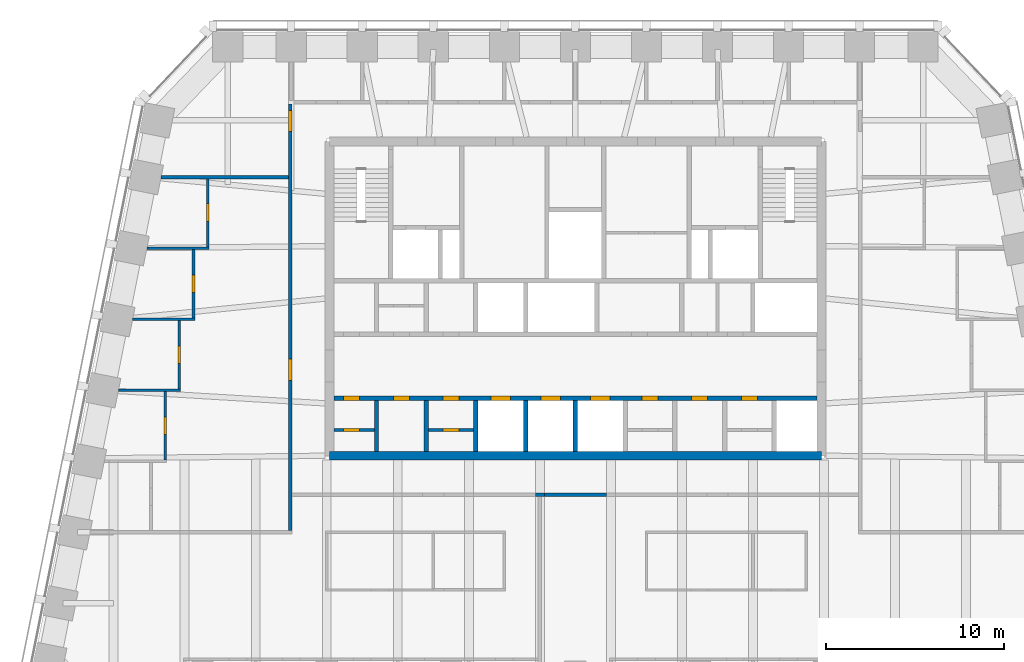
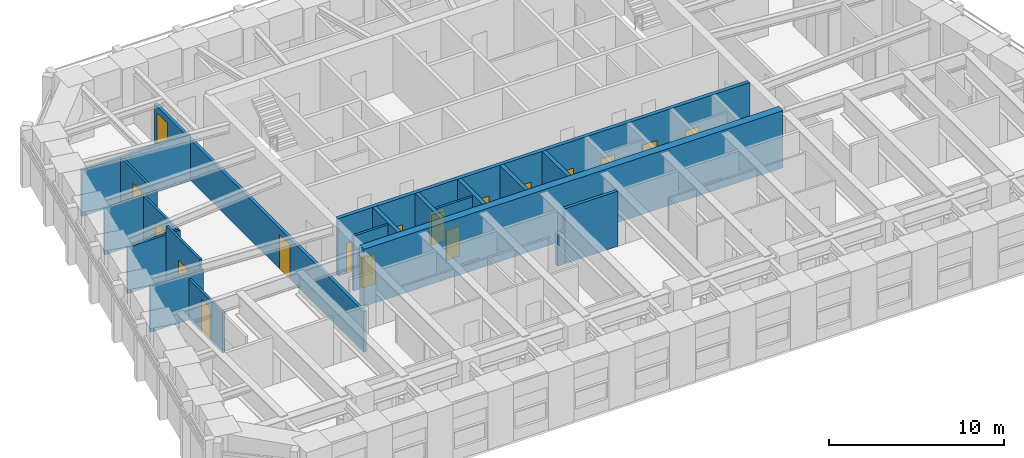
# One storey, part 6 of 13: 20 walls, 17 doors, 17 openings.
"""IFC4 building model written with IfcOpenShell, lengths in metres."""

from ifc_helpers import new_model, si_unit, direction, frame, frame_2d, origin, place, context, subcontext, project, spatial, rectangle, extrude, material, layer, layer_set, type_object, element, fill, save


model = new_model("IFC4")

# Units and contexts
model_context = context("Model", 3, precision=1e-05, world=origin(), true_north=direction((0.0, 1.0)))
body_context = subcontext(model_context, "Body", "Model", "MODEL_VIEW")
ifc_project = project(units=[si_unit("LENGTHUNIT", "METRE"), si_unit("AREAUNIT", "SQUARE_METRE"), si_unit("VOLUMEUNIT", "CUBIC_METRE"), si_unit("PLANEANGLEUNIT", "RADIAN"), si_unit("MASSUNIT", "GRAM", prefix="KILO")], contexts=[model_context])

# Site, building, storey
site_placement = place(None, origin())
site = spatial("IfcSite", under=ifc_project, at=site_placement, CompositionType="ELEMENT")
building_placement = place(site_placement, origin())
building = spatial("IfcBuilding", under=site, at=building_placement, Name="Isbrekke Arena Tower", CompositionType="ELEMENT")
storey_placement = place(building_placement, frame((0.0, 0.0, 280.0)))
storey = spatial("IfcBuildingStorey", under=building, at=storey_placement, Name="L65", CompositionType="ELEMENT", Elevation=280.0)

# Wall
ifc_material_1 = material(Name="Concrete B55 (C55/67)", Category="concrete")
ifc_layer_1 = layer(ifc_material_1, 0.5)
ifc_layer_set_1 = layer_set([ifc_layer_1], Name="CW5 CORE WALL 500")
wall_type_1 = type_object("IfcWallType", Name="CW5 CORE WALL 500", PredefinedType="SHEAR", material=ifc_layer_set_1)
wall_1_placement = place(storey_placement, frame((-13.85009765625, 6.14990234375, 0.0), z_axis=(0.0, 0.0, 1.0), x_axis=(1.0, 0.0, 0.0)))
element("IfcWall", 1, at=wall_1_placement, inside=storey, type_object=wall_type_1, Name="Core wall S L65", PredefinedType="SHEAR", context=body_context, shape_type="SweptSolid", body=[
    extrude(rectangle(XDim=27.7001953125, YDim=0.5, at=frame_2d((13.85009765625, 0.0))), origin(), (0.0, 0.0, 1.0), 4.0),
])

# Wall, openings, doors
ifc_material_2 = material(Name="Concrete B45 (C45/55)", Category="concrete")
ifc_layer_2 = layer(ifc_material_2, 0.25)
ifc_layer_set_2 = layer_set([ifc_layer_2], Name="CW6 SHAFT WALL 250")
wall_type_2 = type_object("IfcWallType", Name="CW6 SHAFT WALL 250", PredefinedType="SHEAR", material=ifc_layer_set_2)
wall_2_placement = place(storey_placement, frame((-13.60009765625, 9.39990234375, 0.0), z_axis=(0.0, 0.0, 1.0), x_axis=(1.0, 0.0, 0.0)))
wall_2 = element("IfcWall", 2, at=wall_2_placement, inside=storey, type_object=wall_type_2, Name="Core wall LS L65", PredefinedType="SHEAR", context=body_context, shape_type="SweptSolid", body=[
    extrude(rectangle(XDim=27.2001953125, YDim=0.25, at=frame_2d((13.60009765625, 0.0))), origin(), (0.0, 0.0, 1.0), 4.0),
])
opening_1_placement = place(wall_2_placement, frame((8.85009765625, 0.0, 0.0)))
opening_1 = element("IfcOpeningElement", 3, at=opening_1_placement, cuts=wall_2, Name="Opening LD1", PredefinedType="OPENING", context=body_context, shape_type="SweptSolid", body=[
    extrude(rectangle(XDim=1.10009765625, YDim=2.10009765625, at=frame_2d((0.550048828125, 1.050048828125))), frame((0.0, 0.139892578125, 0.0), z_axis=(0.0, -1.0, 0.0), x_axis=(1.0, 0.0, 0.0)), (0.0, 0.0, 1.0), 0.27978515625),
])
opening_2_placement = place(wall_2_placement, frame((11.64990234375, 0.0, 0.0)))
opening_2 = element("IfcOpeningElement", 4, at=opening_2_placement, cuts=wall_2, Name="Opening LD1", PredefinedType="OPENING", context=body_context, shape_type="SweptSolid", body=[
    extrude(rectangle(XDim=1.10009765625, YDim=2.10009765625, at=frame_2d((0.550048828125, 1.050048828125))), frame((0.0, 0.139892578125, 0.0), z_axis=(0.0, -1.0, 0.0), x_axis=(1.0, 0.0, 0.0)), (0.0, 0.0, 1.0), 0.27978515625),
])
opening_3_placement = place(wall_2_placement, frame((14.449951171875, 0.0, 0.0)))
opening_3 = element("IfcOpeningElement", 5, at=opening_3_placement, cuts=wall_2, Name="Opening LD1", PredefinedType="OPENING", context=body_context, shape_type="SweptSolid", body=[
    extrude(rectangle(XDim=1.10009765625, YDim=2.10009765625, at=frame_2d((0.550048828125, 1.050048828125))), frame((0.0, 0.139892578125, 0.0), z_axis=(0.0, -1.0, 0.0), x_axis=(1.0, 0.0, 0.0)), (0.0, 0.0, 1.0), 0.27978515625),
])
opening_4_placement = place(wall_2_placement, frame((0.550048828125, 0.0, 0.0)))
opening_4 = element("IfcOpeningElement", 6, at=opening_4_placement, cuts=wall_2, Name="Opening D5", PredefinedType="OPENING", context=body_context, shape_type="SweptSolid", body=[
    extrude(rectangle(XDim=0.89990234375, YDim=2.10009765625, at=frame_2d((0.449951171875, 1.050048828125))), frame((0.0, 0.139892578125, 0.0), z_axis=(0.0, -1.0, 0.0), x_axis=(1.0, 0.0, 0.0)), (0.0, 0.0, 1.0), 0.27978515625),
])
opening_5_placement = place(wall_2_placement, frame((3.35009765625, 0.0, 0.0)))
opening_5 = element("IfcOpeningElement", 7, at=opening_5_placement, cuts=wall_2, Name="Opening D5", PredefinedType="OPENING", context=body_context, shape_type="SweptSolid", body=[
    extrude(rectangle(XDim=0.89990234375, YDim=2.10009765625, at=frame_2d((0.449951171875, 1.050048828125))), frame((0.0, 0.139892578125, 0.0), z_axis=(0.0, -1.0, 0.0), x_axis=(1.0, 0.0, 0.0)), (0.0, 0.0, 1.0), 0.27978515625),
])
opening_6_placement = place(wall_2_placement, frame((6.14990234375, 0.0, 0.0)))
opening_6 = element("IfcOpeningElement", 8, at=opening_6_placement, cuts=wall_2, Name="Opening D5", PredefinedType="OPENING", context=body_context, shape_type="SweptSolid", body=[
    extrude(rectangle(XDim=0.89990234375, YDim=2.10009765625, at=frame_2d((0.449951171875, 1.050048828125))), frame((0.0, 0.139892578125, 0.0), z_axis=(0.0, -1.0, 0.0), x_axis=(1.0, 0.0, 0.0)), (0.0, 0.0, 1.0), 0.27978515625),
])
opening_7_placement = place(wall_2_placement, frame((17.35009765625, 0.0, 0.0)))
opening_7 = element("IfcOpeningElement", 9, at=opening_7_placement, cuts=wall_2, Name="Opening D5", PredefinedType="OPENING", context=body_context, shape_type="SweptSolid", body=[
    extrude(rectangle(XDim=0.89990234375, YDim=2.10009765625, at=frame_2d((0.449951171875, 1.050048828125))), frame((0.0, 0.139892578125, 0.0), z_axis=(0.0, -1.0, 0.0), x_axis=(1.0, 0.0, 0.0)), (0.0, 0.0, 1.0), 0.27978515625),
])
opening_8_placement = place(wall_2_placement, frame((20.14990234375, 0.0, 0.0)))
opening_8 = element("IfcOpeningElement", 10, at=opening_8_placement, cuts=wall_2, Name="Opening D5", PredefinedType="OPENING", context=body_context, shape_type="SweptSolid", body=[
    extrude(rectangle(XDim=0.89990234375, YDim=2.10009765625, at=frame_2d((0.449951171875, 1.050048828125))), frame((0.0, 0.139892578125, 0.0), z_axis=(0.0, -1.0, 0.0), x_axis=(1.0, 0.0, 0.0)), (0.0, 0.0, 1.0), 0.27978515625),
])
opening_9_placement = place(wall_2_placement, frame((22.949951171875, 0.0, 0.0)))
opening_9 = element("IfcOpeningElement", 11, at=opening_9_placement, cuts=wall_2, Name="Opening D5", PredefinedType="OPENING", context=body_context, shape_type="SweptSolid", body=[
    extrude(rectangle(XDim=0.89990234375, YDim=2.10009765625, at=frame_2d((0.449951171875, 1.050048828125))), frame((0.0, 0.139892578125, 0.0), z_axis=(0.0, -1.0, 0.0), x_axis=(1.0, 0.0, 0.0)), (0.0, 0.0, 1.0), 0.27978515625),
])
ifc_material_3 = material(Name="Steel fire door", Category="steel")
door_type_1 = type_object("IfcDoorType", Name="D5 SERVICE DOOR 900 x 2100", OperationType="SINGLE_SWING_LEFT", PredefinedType="DOOR", material=ifc_material_3)
door_1_placement = place(opening_4_placement, origin())
door_1 = element("IfcDoor", 12, at=door_1_placement, inside=storey, type_object=door_type_1, Name="D5 mothers' room door L65", OperationType="SINGLE_SWING_LEFT", OverallHeight=2.10009765625, OverallWidth=0.89990234375, PredefinedType="DOOR", context=body_context, shape_type="SweptSolid", body=[
    extrude(rectangle(XDim=0.89990234375, YDim=2.10009765625, at=frame_2d((0.449951171875, 1.050048828125))), frame((0.0, 0.124755859375, 0.0), z_axis=(0.0, -1.0, 0.0), x_axis=(1.0, 0.0, 0.0)), (0.0, 0.0, 1.0), 0.24951171875),
])
fill(opening_4, door_1)
door_2_placement = place(opening_5_placement, origin())
door_2 = element("IfcDoor", 13, at=door_2_placement, inside=storey, type_object=door_type_1, Name="D5 technical room door L65", OperationType="SINGLE_SWING_LEFT", OverallHeight=2.10009765625, OverallWidth=0.89990234375, PredefinedType="DOOR", context=body_context, shape_type="SweptSolid", body=[
    extrude(rectangle(XDim=0.89990234375, YDim=2.10009765625, at=frame_2d((0.449951171875, 1.050048828125))), frame((0.0, 0.124755859375, 0.0), z_axis=(0.0, -1.0, 0.0), x_axis=(1.0, 0.0, 0.0)), (0.0, 0.0, 1.0), 0.24951171875),
])
fill(opening_5, door_2)
door_3_placement = place(opening_6_placement, origin())
door_3 = element("IfcDoor", 14, at=door_3_placement, inside=storey, type_object=door_type_1, Name="D5 pantry door L65", OperationType="SINGLE_SWING_LEFT", OverallHeight=2.10009765625, OverallWidth=0.89990234375, PredefinedType="DOOR", context=body_context, shape_type="SweptSolid", body=[
    extrude(rectangle(XDim=0.89990234375, YDim=2.10009765625, at=frame_2d((0.449951171875, 1.050048828125))), frame((0.0, 0.124755859375, 0.0), z_axis=(0.0, -1.0, 0.0), x_axis=(1.0, 0.0, 0.0)), (0.0, 0.0, 1.0), 0.24951171875),
])
fill(opening_6, door_3)
door_4_placement = place(opening_7_placement, origin())
door_4 = element("IfcDoor", 15, at=door_4_placement, inside=storey, type_object=door_type_1, Name="D5 print room door L65", OperationType="SINGLE_SWING_LEFT", OverallHeight=2.10009765625, OverallWidth=0.89990234375, PredefinedType="DOOR", context=body_context, shape_type="SweptSolid", body=[
    extrude(rectangle(XDim=0.89990234375, YDim=2.10009765625, at=frame_2d((0.449951171875, 1.050048828125))), frame((0.0, 0.124755859375, 0.0), z_axis=(0.0, -1.0, 0.0), x_axis=(1.0, 0.0, 0.0)), (0.0, 0.0, 1.0), 0.24951171875),
])
fill(opening_7, door_4)
door_5_placement = place(opening_8_placement, origin())
door_5 = element("IfcDoor", 16, at=door_5_placement, inside=storey, type_object=door_type_1, Name="D5 archive door L65", OperationType="SINGLE_SWING_LEFT", OverallHeight=2.10009765625, OverallWidth=0.89990234375, PredefinedType="DOOR", context=body_context, shape_type="SweptSolid", body=[
    extrude(rectangle(XDim=0.89990234375, YDim=2.10009765625, at=frame_2d((0.449951171875, 1.050048828125))), frame((0.0, 0.124755859375, 0.0), z_axis=(0.0, -1.0, 0.0), x_axis=(1.0, 0.0, 0.0)), (0.0, 0.0, 1.0), 0.24951171875),
])
fill(opening_8, door_5)
door_6_placement = place(opening_9_placement, origin())
door_6 = element("IfcDoor", 17, at=door_6_placement, inside=storey, type_object=door_type_1, Name="D5 tea point door L65", OperationType="SINGLE_SWING_LEFT", OverallHeight=2.10009765625, OverallWidth=0.89990234375, PredefinedType="DOOR", context=body_context, shape_type="SweptSolid", body=[
    extrude(rectangle(XDim=0.89990234375, YDim=2.10009765625, at=frame_2d((0.449951171875, 1.050048828125))), frame((0.0, 0.124755859375, 0.0), z_axis=(0.0, -1.0, 0.0), x_axis=(1.0, 0.0, 0.0)), (0.0, 0.0, 1.0), 0.24951171875),
])
fill(opening_9, door_6)
ifc_material_4 = material(Name="Stainless steel lift landing door", Category="steel")
door_type_2 = type_object("IfcDoorType", Name="LD1 LIFT LANDING DOOR 1100 x 2100", OperationType="SLIDING_TO_LEFT", PredefinedType="DOOR", material=ifc_material_4)
door_7_placement = place(opening_1_placement, origin())
door_7 = element("IfcDoor", 18, at=door_7_placement, inside=storey, type_object=door_type_2, Name="LD1 lift landing door LE L65", OperationType="SLIDING_TO_LEFT", OverallHeight=2.10009765625, OverallWidth=1.10009765625, PredefinedType="DOOR", context=body_context, shape_type="SweptSolid", body=[
    extrude(rectangle(XDim=1.10009765625, YDim=2.10009765625, at=frame_2d((0.550048828125, 1.050048828125))), frame((0.0, 0.124755859375, 0.0), z_axis=(0.0, -1.0, 0.0), x_axis=(1.0, 0.0, 0.0)), (0.0, 0.0, 1.0), 0.24951171875),
])
fill(opening_1, door_7)
door_8_placement = place(opening_2_placement, origin())
door_8 = element("IfcDoor", 19, at=door_8_placement, inside=storey, type_object=door_type_2, Name="LD1 lift landing door LE L65", OperationType="SLIDING_TO_LEFT", OverallHeight=2.10009765625, OverallWidth=1.10009765625, PredefinedType="DOOR", context=body_context, shape_type="SweptSolid", body=[
    extrude(rectangle(XDim=1.10009765625, YDim=2.10009765625, at=frame_2d((0.550048828125, 1.050048828125))), frame((0.0, 0.124755859375, 0.0), z_axis=(0.0, -1.0, 0.0), x_axis=(1.0, 0.0, 0.0)), (0.0, 0.0, 1.0), 0.24951171875),
])
fill(opening_2, door_8)
door_9_placement = place(opening_3_placement, origin())
door_9 = element("IfcDoor", 20, at=door_9_placement, inside=storey, type_object=door_type_2, Name="LD1 lift landing door LE L65", OperationType="SLIDING_TO_LEFT", OverallHeight=2.10009765625, OverallWidth=1.10009765625, PredefinedType="DOOR", context=body_context, shape_type="SweptSolid", body=[
    extrude(rectangle(XDim=1.10009765625, YDim=2.10009765625, at=frame_2d((0.550048828125, 1.050048828125))), frame((0.0, 0.124755859375, 0.0), z_axis=(0.0, -1.0, 0.0), x_axis=(1.0, 0.0, 0.0)), (0.0, 0.0, 1.0), 0.24951171875),
])
fill(opening_3, door_9)

# Walls
for number, where, z_axis, x_axis, name in (
    (21, (-11.199951171875, 6.39990234375, 0.0), (0.0, 0.0, 1.0), (0.0, 1.0, 0.0), "Core wall SS01 L65"),
    (22, (-8.39990234375, 6.39990234375, 0.0), (0.0, 0.0, 1.0), (0.0, 1.0, 0.0), "Core wall SS02 L65"),
    (23, (-5.60009765625, 6.39990234375, 0.0), (0.0, 0.0, 1.0), (0.0, 1.0, 0.0), "Core wall SS03 L65"),
    (24, (-2.800048828125, 6.39990234375, 0.0), (0.0, 0.0, 1.0), (0.0, 1.0, 0.0), "Core wall SS04 L65"),
    (25, (0.0, 6.39990234375, 0.0), (0.0, 0.0, 1.0), (0.0, 1.0, 0.0), "Core wall SS05 L65"),
):
    element("IfcWall", number, at=place(storey_placement, frame(where, z_axis=z_axis, x_axis=x_axis)), inside=storey, type_object=wall_type_2, Name=name, PredefinedType="SHEAR", context=body_context, shape_type="SweptSolid", body=[
        extrude(rectangle(XDim=2.875, YDim=0.25, at=frame_2d((1.4375, 0.0))), origin(), (0.0, 0.0, 1.0), 4.0),
    ])
ifc_material_5 = material(Name="Gypsum board partition on steel studs", Category="steel")
ifc_layer_3 = layer(ifc_material_5, 0.14990234375)
ifc_layer_set_3 = layer_set([ifc_layer_3], Name="IW1 PARTITION 150")
wall_type_3 = type_object("IfcWallType", Name="IW1 PARTITION 150", PredefinedType="PARTITIONING", material=ifc_layer_set_3)
for number, where, z_axis, x_axis, name in (
    (26, (-25.723876953125, 9.840087890625, 0.0), (0.0, 0.0, 1.0), (1.0, 0.0, 0.0), "IW1 partition 150 L65"),
    (27, (-24.923828125, 13.840087890625, 0.0), (0.0, 0.0, 1.0), (1.0, 0.0, 0.0), "IW1 partition 150 L65"),
    (28, (-24.123779296875, 17.840087890625, 0.0), (0.0, 0.0, 1.0), (1.0, 0.0, 0.0), "IW1 partition 150 L65"),
):
    element("IfcWall", number, at=place(storey_placement, frame(where, z_axis=z_axis, x_axis=x_axis)), inside=storey, type_object=wall_type_3, Name=name, PredefinedType="PARTITIONING", context=body_context, shape_type="SweptSolid", body=[
        extrude(rectangle(XDim=3.498779296875, YDim=0.14990234375, at=frame_2d((1.74951171875, 0.0))), origin(), (0.0, 0.0, 1.0), 3.22998046875),
    ])

# Wall, opening, door
wall_3_placement = place(storey_placement, frame((-23.10009765625, 5.9150390625, 0.0), z_axis=(0.0, 0.0, 1.0), x_axis=(0.0, 1.0, 0.0)))
wall_3 = element("IfcWall", 29, at=wall_3_placement, inside=storey, type_object=wall_type_3, Name="IW1 partition 150 L65", PredefinedType="PARTITIONING", context=body_context, shape_type="SweptSolid", body=[
    extrude(rectangle(XDim=3.849853515625, YDim=0.14990234375, at=frame_2d((1.9248046875, 0.0))), origin(), (0.0, 0.0, 1.0), 2.842041015625),
])
opening_10_placement = place(wall_3_placement, frame((1.425048828125, 0.0, 0.0)))
opening_10 = element("IfcOpeningElement", 30, at=opening_10_placement, cuts=wall_3, Name="Opening D10", PredefinedType="OPENING", context=body_context, shape_type="SweptSolid", body=[
    extrude(rectangle(XDim=1.0, YDim=2.300048828125, at=frame_2d((0.5, 1.14990234375))), frame((0.0, 0.08984375, 0.0), z_axis=(0.0, -1.0, 0.0), x_axis=(1.0, 0.0, 0.0)), (0.0, 0.0, 1.0), 0.1796875),
])
ifc_material_6 = material(Name="Timber door", Category="wood")
door_type_3 = type_object("IfcDoorType", Name="D10 OFFICE DOOR 1000 x 2300", OperationType="SINGLE_SWING_LEFT", PredefinedType="DOOR", material=ifc_material_6)
door_10_placement = place(opening_10_placement, origin())
door_10 = element("IfcDoor", 31, at=door_10_placement, inside=storey, type_object=door_type_3, Name="D10 office door L65", OperationType="SINGLE_SWING_LEFT", OverallHeight=2.300048828125, OverallWidth=1.0, PredefinedType="DOOR", context=body_context, shape_type="SweptSolid", body=[
    extrude(rectangle(XDim=1.0, YDim=2.300048828125, at=frame_2d((0.5, 1.14990234375))), frame((0.0, 0.07470703125, 0.0), z_axis=(0.0, -1.0, 0.0), x_axis=(1.0, 0.0, 0.0)), (0.0, 0.0, 1.0), 0.1494140625),
])
fill(opening_10, door_10)

wall_4_placement = place(storey_placement, frame((-22.300048828125, 9.9150390625, 0.0), z_axis=(0.0, 0.0, 1.0), x_axis=(0.0, 1.0, 0.0)))
wall_4 = element("IfcWall", 32, at=wall_4_placement, inside=storey, type_object=wall_type_3, Name="IW1 partition 150 L65", PredefinedType="PARTITIONING", context=body_context, shape_type="SweptSolid", body=[
    extrude(rectangle(XDim=3.849853515625, YDim=0.14990234375, at=frame_2d((1.9248046875, 0.0))), origin(), (0.0, 0.0, 1.0), 3.85009765625),
])
opening_11_placement = place(wall_4_placement, frame((1.425048828125, 0.0, 0.0)))
opening_11 = element("IfcOpeningElement", 33, at=opening_11_placement, cuts=wall_4, Name="Opening D10", PredefinedType="OPENING", context=body_context, shape_type="SweptSolid", body=[
    extrude(rectangle(XDim=1.0, YDim=2.300048828125, at=frame_2d((0.5, 1.14990234375))), frame((0.0, 0.08984375, 0.0), z_axis=(0.0, -1.0, 0.0), x_axis=(1.0, 0.0, 0.0)), (0.0, 0.0, 1.0), 0.1796875),
])
door_11_placement = place(opening_11_placement, origin())
door_11 = element("IfcDoor", 34, at=door_11_placement, inside=storey, type_object=door_type_3, Name="D10 office door L65", OperationType="SINGLE_SWING_LEFT", OverallHeight=2.300048828125, OverallWidth=1.0, PredefinedType="DOOR", context=body_context, shape_type="SweptSolid", body=[
    extrude(rectangle(XDim=1.0, YDim=2.300048828125, at=frame_2d((0.5, 1.14990234375))), frame((0.0, 0.07470703125, 0.0), z_axis=(0.0, -1.0, 0.0), x_axis=(1.0, 0.0, 0.0)), (0.0, 0.0, 1.0), 0.1494140625),
])
fill(opening_11, door_11)

wall_5_placement = place(storey_placement, frame((-21.5, 13.9150390625, 0.0), z_axis=(0.0, 0.0, 1.0), x_axis=(0.0, 1.0, 0.0)))
wall_5 = element("IfcWall", 35, at=wall_5_placement, inside=storey, type_object=wall_type_3, Name="IW1 partition 150 L65", PredefinedType="PARTITIONING", context=body_context, shape_type="SweptSolid", body=[
    extrude(rectangle(XDim=3.849853515625, YDim=0.14990234375, at=frame_2d((1.9248046875, 0.0))), origin(), (0.0, 0.0, 1.0), 3.22998046875),
])
opening_12_placement = place(wall_5_placement, frame((1.425048828125, 0.0, 0.0)))
opening_12 = element("IfcOpeningElement", 36, at=opening_12_placement, cuts=wall_5, Name="Opening D10", PredefinedType="OPENING", context=body_context, shape_type="SweptSolid", body=[
    extrude(rectangle(XDim=1.0, YDim=2.300048828125, at=frame_2d((0.5, 1.14990234375))), frame((0.0, 0.08984375, 0.0), z_axis=(0.0, -1.0, 0.0), x_axis=(1.0, 0.0, 0.0)), (0.0, 0.0, 1.0), 0.1796875),
])
door_12_placement = place(opening_12_placement, origin())
door_12 = element("IfcDoor", 37, at=door_12_placement, inside=storey, type_object=door_type_3, Name="D10 office door L65", OperationType="SINGLE_SWING_LEFT", OverallHeight=2.300048828125, OverallWidth=1.0, PredefinedType="DOOR", context=body_context, shape_type="SweptSolid", body=[
    extrude(rectangle(XDim=1.0, YDim=2.300048828125, at=frame_2d((0.5, 1.14990234375))), frame((0.0, 0.07470703125, 0.0), z_axis=(0.0, -1.0, 0.0), x_axis=(1.0, 0.0, 0.0)), (0.0, 0.0, 1.0), 0.1494140625),
])
fill(opening_12, door_12)

wall_6_placement = place(storey_placement, frame((-20.699951171875, 17.9150390625, 0.0), z_axis=(0.0, 0.0, 1.0), x_axis=(0.0, 1.0, 0.0)))
wall_6 = element("IfcWall", 38, at=wall_6_placement, inside=storey, type_object=wall_type_3, Name="IW1 partition 150 L65", PredefinedType="PARTITIONING", context=body_context, shape_type="SweptSolid", body=[
    extrude(rectangle(XDim=3.824951171875, YDim=0.14990234375, at=frame_2d((1.91259765625, 0.0))), origin(), (0.0, 0.0, 1.0), 3.22998046875),
])
opening_13_placement = place(wall_6_placement, frame((1.425048828125, 0.0, 0.0)))
opening_13 = element("IfcOpeningElement", 39, at=opening_13_placement, cuts=wall_6, Name="Opening D10", PredefinedType="OPENING", context=body_context, shape_type="SweptSolid", body=[
    extrude(rectangle(XDim=1.0, YDim=2.300048828125, at=frame_2d((0.5, 1.14990234375))), frame((0.0, 0.08984375, 0.0), z_axis=(0.0, -1.0, 0.0), x_axis=(1.0, 0.0, 0.0)), (0.0, 0.0, 1.0), 0.1796875),
])
door_13_placement = place(opening_13_placement, origin())
door_13 = element("IfcDoor", 40, at=door_13_placement, inside=storey, type_object=door_type_3, Name="D10 office door L65", OperationType="SINGLE_SWING_LEFT", OverallHeight=2.300048828125, OverallWidth=1.0, PredefinedType="DOOR", context=body_context, shape_type="SweptSolid", body=[
    extrude(rectangle(XDim=1.0, YDim=2.300048828125, at=frame_2d((0.5, 1.14990234375))), frame((0.0, 0.07470703125, 0.0), z_axis=(0.0, -1.0, 0.0), x_axis=(1.0, 0.0, 0.0)), (0.0, 0.0, 1.0), 0.1494140625),
])
fill(opening_13, door_13)

# Walls
ifc_material_7 = material(Name="Gypsum board fire-cell wall on steel studs, two layers each side", Category="steel")
ifc_layer_4 = layer(ifc_material_7, 0.199951171875)
ifc_layer_set_4 = layer_set([ifc_layer_4], Name="IW3 FIRE-CELL WALL 200")
wall_type_4 = type_object("IfcWallType", Name="IW3 FIRE-CELL WALL 200", PredefinedType="PARTITIONING", material=ifc_layer_set_4)
wall_7_placement = place(storey_placement, frame((-2.25, 3.949951171875, 0.0), z_axis=(0.0, 0.0, 1.0), x_axis=(1.0, 0.0, 0.0)))
element("IfcWall", 41, at=wall_7_placement, inside=storey, type_object=wall_type_4, Name="IW3 fire-cell wall 200 L65", PredefinedType="PARTITIONING", context=body_context, shape_type="SweptSolid", body=[
    extrude(rectangle(XDim=0.5, YDim=0.199951171875, at=frame_2d((0.25, 0.0))), origin(), (0.0, 0.0, 1.0), 2.25),
])
wall_8_placement = place(storey_placement, frame((-1.75, 3.949951171875, 0.0), z_axis=(0.0, 0.0, 1.0), x_axis=(1.0, 0.0, 0.0)))
element("IfcWall", 42, at=wall_8_placement, inside=storey, type_object=wall_type_4, Name="IW3 fire-cell wall 200 L65", PredefinedType="PARTITIONING", context=body_context, shape_type="SweptSolid", body=[
    extrude(rectangle(XDim=3.5, YDim=0.199951171875, at=frame_2d((1.75, 0.0))), origin(), (0.0, 0.0, 1.0), 3.85009765625),
])
wall_9_placement = place(storey_placement, frame((-23.32373046875, 21.840087890625, 0.0), z_axis=(0.0, 0.0, 1.0), x_axis=(1.0, 0.0, 0.0)))
element("IfcWall", 43, at=wall_9_placement, inside=storey, type_object=wall_type_4, Name="IW3 fire-cell wall 200 L65", PredefinedType="PARTITIONING", context=body_context, shape_type="SweptSolid", body=[
    extrude(rectangle(XDim=7.173828125, YDim=0.199951171875, at=frame_2d((3.5869140625, 0.0))), origin(), (0.0, 0.0, 1.0), 3.22998046875),
])

# Wall, openings, doors
wall_10_placement = place(storey_placement, frame((-16.050048828125, 1.93994140625, 0.0), z_axis=(0.0, 0.0, 1.0), x_axis=(0.0, 1.0, 0.0)))
wall_10 = element("IfcWall", 44, at=wall_10_placement, inside=storey, type_object=wall_type_4, Name="IW3 fire-cell wall 200 L65", PredefinedType="PARTITIONING", context=body_context, shape_type="SweptSolid", body=[
    extrude(rectangle(XDim=24.010009765625, YDim=0.199951171875, at=frame_2d((12.0048828125, 0.0))), origin(), (0.0, 0.0, 1.0), 2.842041015625),
])
opening_14_placement = place(wall_10_placement, frame((8.4599609375, 0.0, 0.0)))
opening_14 = element("IfcOpeningElement", 45, at=opening_14_placement, cuts=wall_10, Name="Opening D12", PredefinedType="OPENING", context=body_context, shape_type="SweptSolid", body=[
    extrude(rectangle(XDim=1.199951171875, YDim=2.39990234375, at=frame_2d((0.60009765625, 1.199951171875))), frame((0.0, 0.11474609375, 0.0), z_axis=(0.0, -1.0, 0.0), x_axis=(1.0, 0.0, 0.0)), (0.0, 0.0, 1.0), 0.229736328125),
])
opening_15_placement = place(wall_10_placement, frame((22.4599609375, 0.0, 0.0)))
opening_15 = element("IfcOpeningElement", 46, at=opening_15_placement, cuts=wall_10, Name="Opening D12", PredefinedType="OPENING", context=body_context, shape_type="SweptSolid", body=[
    extrude(rectangle(XDim=1.199951171875, YDim=2.39990234375, at=frame_2d((0.60009765625, 1.199951171875))), frame((0.0, 0.11474609375, 0.0), z_axis=(0.0, -1.0, 0.0), x_axis=(1.0, 0.0, 0.0)), (0.0, 0.0, 1.0), 0.229736328125),
])
ifc_material_8 = material(Name="Timber fire door with vision panel", Category="wood")
door_type_4 = type_object("IfcDoorType", Name="D12 SUITE ENTRANCE DOOR 1200 x 2400", OperationType="SINGLE_SWING_LEFT", PredefinedType="DOOR", material=ifc_material_8)
door_14_placement = place(opening_14_placement, origin())
door_14 = element("IfcDoor", 47, at=door_14_placement, inside=storey, type_object=door_type_4, Name="D12 suite entrance W door L65", OperationType="SINGLE_SWING_LEFT", OverallHeight=2.39990234375, OverallWidth=1.199951171875, PredefinedType="DOOR", context=body_context, shape_type="SweptSolid", body=[
    extrude(rectangle(XDim=1.199951171875, YDim=2.39990234375, at=frame_2d((0.60009765625, 1.199951171875))), frame((0.0, 0.099609375, 0.0), z_axis=(0.0, -1.0, 0.0), x_axis=(1.0, 0.0, 0.0)), (0.0, 0.0, 1.0), 0.199462890625),
])
fill(opening_14, door_14)
door_15_placement = place(opening_15_placement, origin())
door_15 = element("IfcDoor", 48, at=door_15_placement, inside=storey, type_object=door_type_4, Name="D12 suite entrance NCW door L65", OperationType="SINGLE_SWING_LEFT", OverallHeight=2.39990234375, OverallWidth=1.199951171875, PredefinedType="DOOR", context=body_context, shape_type="SweptSolid", body=[
    extrude(rectangle(XDim=1.199951171875, YDim=2.39990234375, at=frame_2d((0.60009765625, 1.199951171875))), frame((0.0, 0.099609375, 0.0), z_axis=(0.0, -1.0, 0.0), x_axis=(1.0, 0.0, 0.0)), (0.0, 0.0, 1.0), 0.199462890625),
])
fill(opening_15, door_15)

# Wall, opening, door
ifc_material_9 = material(Name="Gypsum board fire-rated partition on steel studs, two layers each side", Category="steel")
ifc_layer_5 = layer(ifc_material_9, 0.14990234375)
ifc_layer_set_5 = layer_set([ifc_layer_5], Name="IW5 FIRE-RATED PARTITION 150")
wall_type_5 = type_object("IfcWallType", Name="IW5 FIRE-RATED PARTITION 150", PredefinedType="PARTITIONING", material=ifc_layer_set_5)
wall_11_placement = place(storey_placement, frame((-13.60009765625, 7.60009765625, 0.0), z_axis=(0.0, 0.0, 1.0), x_axis=(1.0, 0.0, 0.0)))
wall_11 = element("IfcWall", 49, at=wall_11_placement, inside=storey, type_object=wall_type_5, Name="IW5 fire-rated partition L65 core service rooms 3", PredefinedType="PARTITIONING", context=body_context, shape_type="SweptSolid", body=[
    extrude(rectangle(XDim=2.275146484375, YDim=0.14990234375, at=frame_2d((1.1376953125, 0.0))), origin(), (0.0, 0.0, 1.0), 3.85009765625),
])
opening_16_placement = place(wall_11_placement, frame((0.550048828125, 0.0, 0.0)))
opening_16 = element("IfcOpeningElement", 50, at=opening_16_placement, cuts=wall_11, Name="Opening D5", PredefinedType="OPENING", context=body_context, shape_type="SweptSolid", body=[
    extrude(rectangle(XDim=0.89990234375, YDim=2.10009765625, at=frame_2d((0.449951171875, 1.050048828125))), frame((0.0, 0.08984375, 0.0), z_axis=(0.0, -1.0, 0.0), x_axis=(1.0, 0.0, 0.0)), (0.0, 0.0, 1.0), 0.1796875),
])
door_16_placement = place(opening_16_placement, origin())
door_16 = element("IfcDoor", 51, at=door_16_placement, inside=storey, type_object=door_type_1, Name="D5 archive door L65", OperationType="SINGLE_SWING_LEFT", OverallHeight=2.10009765625, OverallWidth=0.89990234375, PredefinedType="DOOR", context=body_context, shape_type="SweptSolid", body=[
    extrude(rectangle(XDim=0.89990234375, YDim=2.10009765625, at=frame_2d((0.449951171875, 1.050048828125))), frame((0.0, 0.07470703125, 0.0), z_axis=(0.0, -1.0, 0.0), x_axis=(1.0, 0.0, 0.0)), (0.0, 0.0, 1.0), 0.1494140625),
])
fill(opening_16, door_16)

wall_12_placement = place(storey_placement, frame((-8.27490234375, 7.60009765625, 0.0), z_axis=(0.0, 0.0, 1.0), x_axis=(1.0, 0.0, 0.0)))
wall_12 = element("IfcWall", 52, at=wall_12_placement, inside=storey, type_object=wall_type_5, Name="IW5 fire-rated partition L65 core service rooms 4", PredefinedType="PARTITIONING", context=body_context, shape_type="SweptSolid", body=[
    extrude(rectangle(XDim=2.5498046875, YDim=0.14990234375, at=frame_2d((1.27490234375, 0.0))), origin(), (0.0, 0.0, 1.0), 3.85009765625),
])
opening_17_placement = place(wall_12_placement, frame((0.824951171875, 0.0, 0.0)))
opening_17 = element("IfcOpeningElement", 53, at=opening_17_placement, cuts=wall_12, Name="Opening D5", PredefinedType="OPENING", context=body_context, shape_type="SweptSolid", body=[
    extrude(rectangle(XDim=0.89990234375, YDim=2.10009765625, at=frame_2d((0.449951171875, 1.050048828125))), frame((0.0, 0.08984375, 0.0), z_axis=(0.0, -1.0, 0.0), x_axis=(1.0, 0.0, 0.0)), (0.0, 0.0, 1.0), 0.1796875),
])
door_17_placement = place(opening_17_placement, origin())
door_17 = element("IfcDoor", 54, at=door_17_placement, inside=storey, type_object=door_type_1, Name="D5 tenant store door L65", OperationType="SINGLE_SWING_LEFT", OverallHeight=2.10009765625, OverallWidth=0.89990234375, PredefinedType="DOOR", context=body_context, shape_type="SweptSolid", body=[
    extrude(rectangle(XDim=0.89990234375, YDim=2.10009765625, at=frame_2d((0.449951171875, 1.050048828125))), frame((0.0, 0.07470703125, 0.0), z_axis=(0.0, -1.0, 0.0), x_axis=(1.0, 0.0, 0.0)), (0.0, 0.0, 1.0), 0.1494140625),
])
fill(opening_17, door_17)

save(model, "model.ifc")
